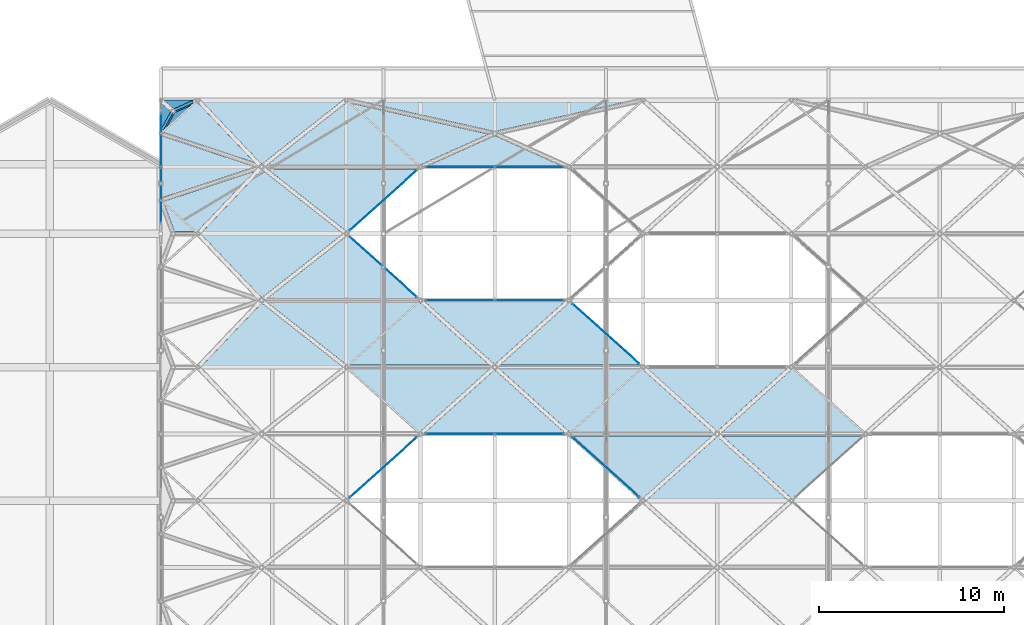
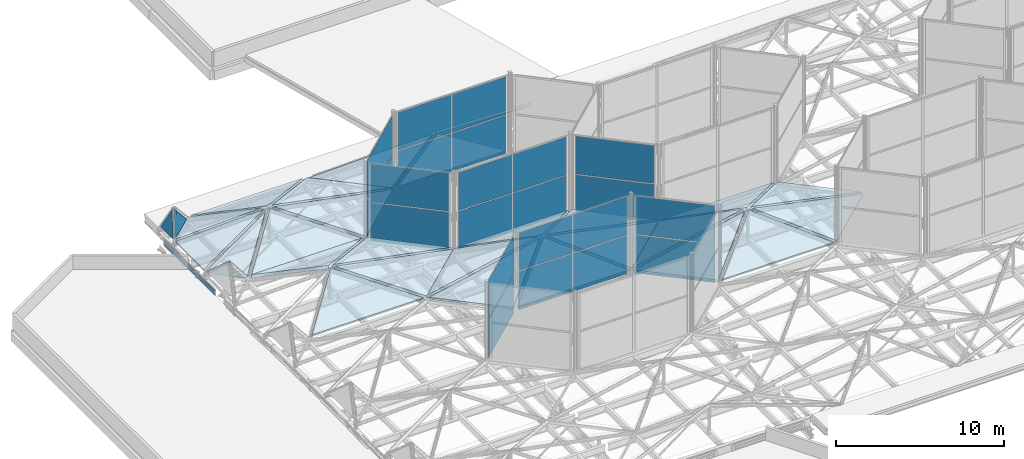
# One storey, part 213 of 239: 30 slabs, 26 plates, 9 elements without a shape of their own.
"""IFC4 building model written with IfcOpenShell, lengths in metres."""

from ifc_helpers import new_model, si_unit, direction, frame, origin, origin_2d, place, context, subcontext, project, spatial, polyline, rectangle, outline, extrude, material, layer, layer_set, type_object, element, aggregate, save


model = new_model("IFC4")

# Units and contexts
model_context = context("Model", 3, precision=1e-05, world=origin(), true_north=direction((0.0, 1.0)))
body_context = subcontext(model_context, "Body", "Model", "MODEL_VIEW")
ifc_project = project(units=[si_unit("LENGTHUNIT", "METRE"), si_unit("AREAUNIT", "SQUARE_METRE"), si_unit("VOLUMEUNIT", "CUBIC_METRE"), si_unit("PLANEANGLEUNIT", "RADIAN"), si_unit("MASSUNIT", "GRAM", prefix="KILO")], contexts=[model_context])

# Site, building, storey
site_placement = place(None, origin())
site = spatial("IfcSite", under=ifc_project, at=site_placement, CompositionType="ELEMENT")
building_placement = place(site_placement, origin())
building = spatial("IfcBuilding", under=site, at=building_placement, Name="Dunvalen Ferry Terminal", CompositionType="ELEMENT")
storey_placement = place(building_placement, frame((0.0, 0.0, 9.840087890625)))
storey = spatial("IfcBuildingStorey", under=building, at=storey_placement, Name="L02", CompositionType="ELEMENT", Elevation=9.840087890625)

# Curtain wall, plates
ifc_material_1 = material(Name="Anodised marine aluminium and solar-control glazing", Category="aluminium")
ifc_layer_1 = layer(ifc_material_1, 0.219970703125, Name="Anodised marine aluminium and solar-control glazing")
ifc_layer_set_1 = layer_set([ifc_layer_1], Name="Anodised marine aluminium and solar-control glazing")
curtain_wall_type_1 = type_object("IfcCurtainWallType", Name="ENV-CW-SYS-04", PredefinedType="NOTDEFINED", material=ifc_layer_set_1)
curtain_wall_1_placement = place(storey_placement, origin())
curtain_wall_1 = element("IfcCurtainWall", 1, at=curtain_wall_1_placement, inside=storey, type_object=curtain_wall_type_1, Name="L02 Curtain Wall CW-V1W-CLR-05", PredefinedType="NOTDEFINED")
ifc_material_2 = material(Name="Low-E solar-control laminated double glazing", Category="glass")
ifc_layer_2 = layer(ifc_material_2, 0.031982421875, Name="Low-E solar-control laminated double glazing")
ifc_layer_set_2 = layer_set([ifc_layer_2], Name="Low-E solar-control laminated double glazing")
plate_type_1 = type_object("IfcPlateType", Name="ENV-CW-PNL-2", PredefinedType="CURTAIN_PANEL", material=ifc_layer_set_2)
plate_1_placement = place(storey_placement, frame((12.0, 81.294921875, 0.2998046875), z_axis=(0.0, 0.0, 1.0), x_axis=(0.0, 1.0, 0.0)))
plate_1 = element("IfcPlate", 2, at=plate_1_placement, type_object=plate_type_1, Name="CW-04 panel 1.1", PredefinedType="CURTAIN_PANEL", context=body_context, shape_type="SweptSolid", body=[
    extrude(rectangle(XDim=2.949951171875, YDim=0.031982421875, at=origin_2d()), origin(), (0.0, 0.0, 1.0), 0.179931640625),
])
plate_2_placement = place(storey_placement, frame((12.0, 81.294921875, 0.5400390625), z_axis=(0.0, 0.0, 1.0), x_axis=(0.0, 1.0, 0.0)))
plate_2 = element("IfcPlate", 3, at=plate_2_placement, type_object=plate_type_1, Name="CW-04 panel 1.2", PredefinedType="CURTAIN_PANEL", context=body_context, shape_type="SweptSolid", body=[
    extrude(rectangle(XDim=2.949951171875, YDim=0.031982421875, at=origin_2d()), origin(), (0.0, 0.0, 1.0), 0.179931640625),
])
plate_3_placement = place(storey_placement, frame((12.0, 84.304931640625, 0.2998046875), z_axis=(0.0, 0.0, 1.0), x_axis=(0.0, 1.0, 0.0)))
plate_3 = element("IfcPlate", 4, at=plate_3_placement, type_object=plate_type_1, Name="CW-04 panel 2.1", PredefinedType="CURTAIN_PANEL", context=body_context, shape_type="SweptSolid", body=[
    extrude(rectangle(XDim=2.949951171875, YDim=0.031982421875, at=origin_2d()), origin(), (0.0, 0.0, 1.0), 0.179931640625),
])
plate_4_placement = place(storey_placement, frame((12.0, 84.304931640625, 0.5400390625), z_axis=(0.0, 0.0, 1.0), x_axis=(0.0, 1.0, 0.0)))
plate_4 = element("IfcPlate", 5, at=plate_4_placement, type_object=plate_type_1, Name="CW-04 panel 2.2", PredefinedType="CURTAIN_PANEL", context=body_context, shape_type="SweptSolid", body=[
    extrude(rectangle(XDim=2.949951171875, YDim=0.031982421875, at=origin_2d()), origin(), (0.0, 0.0, 1.0), 0.179931640625),
])
aggregate(curtain_wall_1, [plate_1, plate_2, plate_3, plate_4])

ifc_layer_3 = layer(ifc_material_1, 0.179931640625, Name="Anodised marine aluminium and solar-control glazing")
ifc_layer_set_3 = layer_set([ifc_layer_3], Name="Anodised marine aluminium and solar-control glazing")
curtain_wall_type_2 = type_object("IfcCurtainWallType", Name="ENV-CW-SYS-06", PredefinedType="NOTDEFINED", material=ifc_layer_set_3)
curtain_wall_2_placement = place(storey_placement, origin())
curtain_wall_2 = element("IfcCurtainWall", 6, at=curtain_wall_2_placement, inside=storey, type_object=curtain_wall_type_2, Name="L02 Curtain Wall CW-HEX-14-SK-4", PredefinedType="NOTDEFINED")
ifc_layer_4 = layer(ifc_material_2, 0.0400390625, Name="Low-E solar-control laminated double glazing")
ifc_layer_set_4 = layer_set([ifc_layer_4], Name="Low-E solar-control laminated double glazing")
plate_type_2 = type_object("IfcPlateType", Name="ENV-CW-PNL-4", PredefinedType="CURTAIN_PANEL", material=ifc_layer_set_4)
plate_5_placement = place(storey_placement, frame((36.0, 66.60009765625, 1.19970703125), z_axis=(0.0, 0.0, 1.0), x_axis=(-0.74330420875, 0.668953550894, 0.0)))
plate_5 = element("IfcPlate", 7, at=plate_5_placement, type_object=plate_type_2, Name="CW-06 panel 1.1", PredefinedType="CURTAIN_PANEL", context=body_context, shape_type="SweptSolid", body=[
    extrude(rectangle(XDim=4.821533203125, YDim=0.0400390625, at=origin_2d()), origin(), (0.0, 0.0, 1.0), 2.760009765625),
])
plate_6_placement = place(storey_placement, frame((36.0, 66.60009765625, 4.02001953125), z_axis=(0.0, 0.0, 1.0), x_axis=(-0.74330420875, 0.668953550894, 0.0)))
plate_6 = element("IfcPlate", 8, at=plate_6_placement, type_object=plate_type_2, Name="CW-06 panel 1.2", PredefinedType="CURTAIN_PANEL", context=body_context, shape_type="SweptSolid", body=[
    extrude(rectangle(XDim=4.821533203125, YDim=0.0400390625, at=origin_2d()), origin(), (0.0, 0.0, 1.0), 2.760009765625),
])
aggregate(curtain_wall_2, [plate_5, plate_6])

ifc_layer_5 = layer(ifc_material_1, 0.179931640625, Name="Anodised marine aluminium and solar-control glazing")
ifc_layer_set_5 = layer_set([ifc_layer_5], Name="Anodised marine aluminium and solar-control glazing")
curtain_wall_type_3 = type_object("IfcCurtainWallType", Name="ENV-CW-SYS-05", PredefinedType="NOTDEFINED", material=ifc_layer_set_5)
curtain_wall_3_placement = place(storey_placement, origin())
curtain_wall_3 = element("IfcCurtainWall", 9, at=curtain_wall_3_placement, inside=storey, type_object=curtain_wall_type_3, Name="L02 Curtain Wall CW-HEX-14-SK-5", PredefinedType="NOTDEFINED")
plate_7_placement = place(storey_placement, frame((31.875, 68.39990234375, 1.19970703125), z_axis=(0.0, 0.0, 1.0), x_axis=(-1.0, 0.0, 0.0)))
plate_7 = element("IfcPlate", 10, at=plate_7_placement, type_object=plate_type_2, Name="CW-05 panel 1.1", PredefinedType="CURTAIN_PANEL", context=body_context, shape_type="SweptSolid", body=[
    extrude(rectangle(XDim=3.68994140625, YDim=0.0400390625, at=origin_2d()), origin(), (0.0, 0.0, 1.0), 2.760009765625),
])
plate_8_placement = place(storey_placement, frame((31.875, 68.39990234375, 4.02001953125), z_axis=(0.0, 0.0, 1.0), x_axis=(-1.0, 0.0, 0.0)))
plate_8 = element("IfcPlate", 11, at=plate_8_placement, type_object=plate_type_2, Name="CW-05 panel 1.2", PredefinedType="CURTAIN_PANEL", context=body_context, shape_type="SweptSolid", body=[
    extrude(rectangle(XDim=3.68994140625, YDim=0.0400390625, at=origin_2d()), origin(), (0.0, 0.0, 1.0), 2.760009765625),
])
plate_9_placement = place(storey_placement, frame((28.125, 68.39990234375, 1.19970703125), z_axis=(0.0, 0.0, 1.0), x_axis=(-1.0, 0.0, 0.0)))
plate_9 = element("IfcPlate", 12, at=plate_9_placement, type_object=plate_type_2, Name="CW-05 panel 2.1", PredefinedType="CURTAIN_PANEL", context=body_context, shape_type="SweptSolid", body=[
    extrude(rectangle(XDim=3.68994140625, YDim=0.0400390625, at=origin_2d()), origin(), (0.0, 0.0, 1.0), 2.760009765625),
])
plate_10_placement = place(storey_placement, frame((28.125, 68.39990234375, 4.02001953125), z_axis=(0.0, 0.0, 1.0), x_axis=(-1.0, 0.0, 0.0)))
plate_10 = element("IfcPlate", 13, at=plate_10_placement, type_object=plate_type_2, Name="CW-05 panel 2.2", PredefinedType="CURTAIN_PANEL", context=body_context, shape_type="SweptSolid", body=[
    extrude(rectangle(XDim=3.68994140625, YDim=0.0400390625, at=origin_2d()), origin(), (0.0, 0.0, 1.0), 2.760009765625),
])
aggregate(curtain_wall_3, [plate_7, plate_8, plate_9, plate_10])

curtain_wall_4_placement = place(storey_placement, origin())
curtain_wall_4 = element("IfcCurtainWall", 14, at=curtain_wall_4_placement, inside=storey, type_object=curtain_wall_type_2, Name="L02 Curtain Wall CW-HEX-14-SK-6", PredefinedType="NOTDEFINED")
plate_11_placement = place(storey_placement, frame((24.0, 66.60009765625, 1.19970703125), z_axis=(0.0, 0.0, 1.0), x_axis=(-0.74330420875, -0.668953550894, 0.0)))
plate_11 = element("IfcPlate", 15, at=plate_11_placement, type_object=plate_type_2, Name="CW-06 panel 1.1", PredefinedType="CURTAIN_PANEL", context=body_context, shape_type="SweptSolid", body=[
    extrude(rectangle(XDim=4.821533203125, YDim=0.0400390625, at=origin_2d()), origin(), (0.0, 0.0, 1.0), 2.760009765625),
])
plate_12_placement = place(storey_placement, frame((24.0, 66.60009765625, 4.02001953125), z_axis=(0.0, 0.0, 1.0), x_axis=(-0.74330420875, -0.668953550894, 0.0)))
plate_12 = element("IfcPlate", 16, at=plate_12_placement, type_object=plate_type_2, Name="CW-06 panel 1.2", PredefinedType="CURTAIN_PANEL", context=body_context, shape_type="SweptSolid", body=[
    extrude(rectangle(XDim=4.821533203125, YDim=0.0400390625, at=origin_2d()), origin(), (0.0, 0.0, 1.0), 2.760009765625),
])
aggregate(curtain_wall_4, [plate_11, plate_12])

curtain_wall_5_placement = place(storey_placement, origin())
curtain_wall_5 = element("IfcCurtainWall", 17, at=curtain_wall_5_placement, inside=storey, type_object=curtain_wall_type_3, Name="L02 Curtain Wall CW-HEX-16-SK-1", PredefinedType="NOTDEFINED")
plate_13_placement = place(storey_placement, frame((24.0, 77.39990234375, 1.19970703125), z_axis=(0.0, 0.0, 1.0), x_axis=(0.74330420875, -0.668953550894, 0.0)))
plate_13 = element("IfcPlate", 18, at=plate_13_placement, type_object=plate_type_2, Name="CW-05 panel 1.1", PredefinedType="CURTAIN_PANEL", context=body_context, shape_type="SweptSolid", body=[
    extrude(rectangle(XDim=4.821533203125, YDim=0.0400390625, at=origin_2d()), origin(), (0.0, 0.0, 1.0), 2.760009765625),
])
plate_14_placement = place(storey_placement, frame((24.0, 77.39990234375, 4.02001953125), z_axis=(0.0, 0.0, 1.0), x_axis=(0.74330420875, -0.668953550894, 0.0)))
plate_14 = element("IfcPlate", 19, at=plate_14_placement, type_object=plate_type_2, Name="CW-05 panel 1.2", PredefinedType="CURTAIN_PANEL", context=body_context, shape_type="SweptSolid", body=[
    extrude(rectangle(XDim=4.821533203125, YDim=0.0400390625, at=origin_2d()), origin(), (0.0, 0.0, 1.0), 2.760009765625),
])
aggregate(curtain_wall_5, [plate_13, plate_14])

curtain_wall_6_placement = place(storey_placement, origin())
curtain_wall_6 = element("IfcCurtainWall", 20, at=curtain_wall_6_placement, inside=storey, type_object=curtain_wall_type_2, Name="L02 Curtain Wall CW-HEX-16-SK-2", PredefinedType="NOTDEFINED")
plate_15_placement = place(storey_placement, frame((28.125, 75.60009765625, 1.19970703125), z_axis=(0.0, 0.0, 1.0), x_axis=(1.0, 0.0, 0.0)))
plate_15 = element("IfcPlate", 21, at=plate_15_placement, type_object=plate_type_2, Name="CW-06 panel 1.1", PredefinedType="CURTAIN_PANEL", context=body_context, shape_type="SweptSolid", body=[
    extrude(rectangle(XDim=3.68994140625, YDim=0.0400390625, at=origin_2d()), origin(), (0.0, 0.0, 1.0), 2.760009765625),
])
plate_16_placement = place(storey_placement, frame((28.125, 75.60009765625, 4.02001953125), z_axis=(0.0, 0.0, 1.0), x_axis=(1.0, 0.0, 0.0)))
plate_16 = element("IfcPlate", 22, at=plate_16_placement, type_object=plate_type_2, Name="CW-06 panel 1.2", PredefinedType="CURTAIN_PANEL", context=body_context, shape_type="SweptSolid", body=[
    extrude(rectangle(XDim=3.68994140625, YDim=0.0400390625, at=origin_2d()), origin(), (0.0, 0.0, 1.0), 2.760009765625),
])
plate_17_placement = place(storey_placement, frame((31.875, 75.60009765625, 1.19970703125), z_axis=(0.0, 0.0, 1.0), x_axis=(1.0, 0.0, 0.0)))
plate_17 = element("IfcPlate", 23, at=plate_17_placement, type_object=plate_type_2, Name="CW-06 panel 2.1", PredefinedType="CURTAIN_PANEL", context=body_context, shape_type="SweptSolid", body=[
    extrude(rectangle(XDim=3.68994140625, YDim=0.0400390625, at=origin_2d()), origin(), (0.0, 0.0, 1.0), 2.760009765625),
])
plate_18_placement = place(storey_placement, frame((31.875, 75.60009765625, 4.02001953125), z_axis=(0.0, 0.0, 1.0), x_axis=(1.0, 0.0, 0.0)))
plate_18 = element("IfcPlate", 24, at=plate_18_placement, type_object=plate_type_2, Name="CW-06 panel 2.2", PredefinedType="CURTAIN_PANEL", context=body_context, shape_type="SweptSolid", body=[
    extrude(rectangle(XDim=3.68994140625, YDim=0.0400390625, at=origin_2d()), origin(), (0.0, 0.0, 1.0), 2.760009765625),
])
aggregate(curtain_wall_6, [plate_15, plate_16, plate_17, plate_18])

curtain_wall_7_placement = place(storey_placement, origin())
curtain_wall_7 = element("IfcCurtainWall", 25, at=curtain_wall_7_placement, inside=storey, type_object=curtain_wall_type_3, Name="L02 Curtain Wall CW-HEX-16-SK-5", PredefinedType="NOTDEFINED")
plate_19_placement = place(storey_placement, frame((31.875, 82.800048828125, 1.19970703125), z_axis=(0.0, 0.0, 1.0), x_axis=(-1.0, 0.0, 0.0)))
plate_19 = element("IfcPlate", 26, at=plate_19_placement, type_object=plate_type_2, Name="CW-05 panel 1.1", PredefinedType="CURTAIN_PANEL", context=body_context, shape_type="SweptSolid", body=[
    extrude(rectangle(XDim=3.68994140625, YDim=0.0400390625, at=origin_2d()), origin(), (0.0, 0.0, 1.0), 2.760009765625),
])
plate_20_placement = place(storey_placement, frame((31.875, 82.800048828125, 4.02001953125), z_axis=(0.0, 0.0, 1.0), x_axis=(-1.0, 0.0, 0.0)))
plate_20 = element("IfcPlate", 27, at=plate_20_placement, type_object=plate_type_2, Name="CW-05 panel 1.2", PredefinedType="CURTAIN_PANEL", context=body_context, shape_type="SweptSolid", body=[
    extrude(rectangle(XDim=3.68994140625, YDim=0.0400390625, at=origin_2d()), origin(), (0.0, 0.0, 1.0), 2.760009765625),
])
plate_21_placement = place(storey_placement, frame((28.125, 82.800048828125, 1.19970703125), z_axis=(0.0, 0.0, 1.0), x_axis=(-1.0, 0.0, 0.0)))
plate_21 = element("IfcPlate", 28, at=plate_21_placement, type_object=plate_type_2, Name="CW-05 panel 2.1", PredefinedType="CURTAIN_PANEL", context=body_context, shape_type="SweptSolid", body=[
    extrude(rectangle(XDim=3.68994140625, YDim=0.0400390625, at=origin_2d()), origin(), (0.0, 0.0, 1.0), 2.760009765625),
])
plate_22_placement = place(storey_placement, frame((28.125, 82.800048828125, 4.02001953125), z_axis=(0.0, 0.0, 1.0), x_axis=(-1.0, 0.0, 0.0)))
plate_22 = element("IfcPlate", 29, at=plate_22_placement, type_object=plate_type_2, Name="CW-05 panel 2.2", PredefinedType="CURTAIN_PANEL", context=body_context, shape_type="SweptSolid", body=[
    extrude(rectangle(XDim=3.68994140625, YDim=0.0400390625, at=origin_2d()), origin(), (0.0, 0.0, 1.0), 2.760009765625),
])
aggregate(curtain_wall_7, [plate_19, plate_20, plate_21, plate_22])

curtain_wall_8_placement = place(storey_placement, origin())
curtain_wall_8 = element("IfcCurtainWall", 30, at=curtain_wall_8_placement, inside=storey, type_object=curtain_wall_type_2, Name="L02 Curtain Wall CW-HEX-16-SK-6", PredefinedType="NOTDEFINED")
plate_23_placement = place(storey_placement, frame((24.0, 81.0, 1.19970703125), z_axis=(0.0, 0.0, 1.0), x_axis=(-0.74330420875, -0.668953550894, 0.0)))
plate_23 = element("IfcPlate", 31, at=plate_23_placement, type_object=plate_type_2, Name="CW-06 panel 1.1", PredefinedType="CURTAIN_PANEL", context=body_context, shape_type="SweptSolid", body=[
    extrude(rectangle(XDim=4.821533203125, YDim=0.0400390625, at=origin_2d()), origin(), (0.0, 0.0, 1.0), 2.760009765625),
])
plate_24_placement = place(storey_placement, frame((24.0, 81.0, 4.02001953125), z_axis=(0.0, 0.0, 1.0), x_axis=(-0.74330420875, -0.668953550894, 0.0)))
plate_24 = element("IfcPlate", 32, at=plate_24_placement, type_object=plate_type_2, Name="CW-06 panel 1.2", PredefinedType="CURTAIN_PANEL", context=body_context, shape_type="SweptSolid", body=[
    extrude(rectangle(XDim=4.821533203125, YDim=0.0400390625, at=origin_2d()), origin(), (0.0, 0.0, 1.0), 2.760009765625),
])
aggregate(curtain_wall_8, [plate_23, plate_24])

curtain_wall_9_placement = place(storey_placement, origin())
curtain_wall_9 = element("IfcCurtainWall", 33, at=curtain_wall_9_placement, inside=storey, type_object=curtain_wall_type_3, Name="L02 Curtain Wall CW-HEX-21-SK-1", PredefinedType="NOTDEFINED")
plate_25_placement = place(storey_placement, frame((36.0, 73.800048828125, 1.19970703125), z_axis=(0.0, 0.0, 1.0), x_axis=(0.74330420875, -0.668953550894, 0.0)))
plate_25 = element("IfcPlate", 34, at=plate_25_placement, type_object=plate_type_2, Name="CW-05 panel 1.1", PredefinedType="CURTAIN_PANEL", context=body_context, shape_type="SweptSolid", body=[
    extrude(rectangle(XDim=4.821533203125, YDim=0.0400390625, at=origin_2d()), origin(), (0.0, 0.0, 1.0), 2.760009765625),
])
plate_26_placement = place(storey_placement, frame((36.0, 73.800048828125, 4.02001953125), z_axis=(0.0, 0.0, 1.0), x_axis=(0.74330420875, -0.668953550894, 0.0)))
plate_26 = element("IfcPlate", 35, at=plate_26_placement, type_object=plate_type_2, Name="CW-05 panel 1.2", PredefinedType="CURTAIN_PANEL", context=body_context, shape_type="SweptSolid", body=[
    extrude(rectangle(XDim=4.821533203125, YDim=0.0400390625, at=origin_2d()), origin(), (0.0, 0.0, 1.0), 2.760009765625),
])
aggregate(curtain_wall_9, [plate_25, plate_26])

# Slabs
ifc_material_3 = material(Name="Precast concrete C40/50 - Atlantic Blue Marine Enamel", Category="concrete")
ifc_layer_6 = layer(ifc_material_3, 0.18994140625, Name="Precast concrete C40/50 - Atlantic Blue Marine Enamel")
ifc_layer_set_6 = layer_set([ifc_layer_6], Name="Precast concrete C40/50 - Atlantic Blue Marine Enamel")
slab_type_1 = type_object("IfcSlabType", Name="STR-ROOF-HEX-ATLANTIC", PredefinedType="ROOF", material=ifc_layer_set_6)
slab_1_placement = place(storey_placement, frame((34.117919921875, 68.2939453125, 1.406982421875), z_axis=(-0.200317033625, -0.222563368957, 0.954116676743), x_axis=(0.743277537566, -0.668983185252, 0.0)))
element("IfcSlab", 36, at=slab_1_placement, inside=storey, type_object=slab_type_1, Name="HEX-20 Sea-Roof Pyramid Facet 1", PredefinedType="ROOF", context=body_context, shape_type="SweptSolid", body=[
    extrude(outline(polyline([(0.0, 0.0), (5.116498647435961, 0.0), (5.65351847726143, 5.333122050650035), (0.0, 0.0)])), origin(), (0.0, 0.0, -1.0), 0.18994140625),
])
slab_2_placement = place(storey_placement, frame((38.157958984375, 64.800048828125, 1.406982421875), z_axis=(0.0, -0.422832911751, 0.906207663144), x_axis=(1.0, 0.0, 0.0)))
element("IfcSlab", 37, at=slab_2_placement, inside=storey, type_object=slab_type_1, Name="HEX-20 Sea-Roof Pyramid Facet 2", PredefinedType="ROOF", context=body_context, shape_type="SweptSolid", body=[
    extrude(outline(polyline([(0.0, 0.0), (7.68408203125, 0.0), (3.842041015625, 3.8148333881963206), (0.0, 0.0)])), origin(), (0.0, 0.0, -1.0), 0.18994140625),
])
slab_3_placement = place(storey_placement, frame((46.0791015625, 64.87109375, 1.406982421875), z_axis=(0.200317033625, -0.222563368957, 0.954116676743), x_axis=(0.743277537566, 0.668983185252, 0.0)))
element("IfcSlab", 38, at=slab_3_placement, inside=storey, type_object=slab_type_1, Name="HEX-20 Sea-Roof Pyramid Facet 3", PredefinedType="ROOF", context=body_context, shape_type="SweptSolid", body=[
    extrude(outline(polyline([(0.0, 0.0), (5.116498647435961, 0.0), (-0.5370198298254691, 5.333122050650035), (0.0, 0.0)])), origin(), (0.0, 0.0, -1.0), 0.18994140625),
])
slab_4_placement = place(storey_placement, frame((49.882080078125, 68.506103515625, 1.406982421875), z_axis=(0.200317033625, 0.222563368957, 0.954116676743), x_axis=(-0.743277537566, 0.668983185252, 0.0)))
element("IfcSlab", 39, at=slab_4_placement, inside=storey, type_object=slab_type_1, Name="HEX-20 Sea-Roof Pyramid Facet 4", PredefinedType="ROOF", context=body_context, shape_type="SweptSolid", body=[
    extrude(outline(polyline([(0.0, 0.0), (5.116498647435961, 0.0), (5.65351847726143, 5.333122050650035), (0.0, 0.0)])), origin(), (0.0, 0.0, -1.0), 0.18994140625),
])
slab_5_placement = place(storey_placement, frame((45.842041015625, 72.0, 1.406982421875), z_axis=(0.0, 0.422832911751, 0.906207663144), x_axis=(-1.0, 0.0, 0.0)))
element("IfcSlab", 40, at=slab_5_placement, inside=storey, type_object=slab_type_1, Name="HEX-20 Sea-Roof Pyramid Facet 5", PredefinedType="ROOF", context=body_context, shape_type="SweptSolid", body=[
    extrude(outline(polyline([(0.0, 0.0), (7.68408203125, 0.0), (3.842041015625, 3.8148333881963206), (0.0, 0.0)])), origin(), (0.0, 0.0, -1.0), 0.18994140625),
])
slab_6_placement = place(storey_placement, frame((37.9208984375, 71.928955078125, 1.406982421875), z_axis=(-0.200317033625, 0.222563368957, 0.954116676743), x_axis=(-0.743277537566, -0.668983185252, 0.0)))
element("IfcSlab", 41, at=slab_6_placement, inside=storey, type_object=slab_type_1, Name="HEX-20 Sea-Roof Pyramid Facet 6", PredefinedType="ROOF", context=body_context, shape_type="SweptSolid", body=[
    extrude(outline(polyline([(0.0, 0.0), (5.116498647435961, 0.0), (-0.5370198298254691, 5.333122050650035), (0.0, 0.0)])), origin(), (0.0, 0.0, -1.0), 0.18994140625),
])
ifc_material_4 = material(Name="Precast concrete C40/50 - Deep Navy Marine Enamel", Category="concrete")
ifc_layer_7 = layer(ifc_material_4, 0.2099609375, Name="Precast concrete C40/50 - Deep Navy Marine Enamel")
ifc_layer_set_7 = layer_set([ifc_layer_7], Name="Precast concrete C40/50 - Deep Navy Marine Enamel")
slab_type_2 = type_object("IfcSlabType", Name="STR-ROOF-HEX-NAVY", PredefinedType="ROOF", material=ifc_layer_set_7)
slab_7_placement = place(storey_placement, frame((13.882080078125, 79.305908203125, 1.427001953125), z_axis=(0.590858891675, 0.656478676698, 0.468957905541), x_axis=(-0.743278336005, 0.668982298141, 0.0)))
element("IfcSlab", 42, at=slab_7_placement, inside=storey, type_object=slab_type_2, Name="HEX-05 Sea-Roof Pyramid Facet 2", PredefinedType="ROOF", context=body_context, shape_type="SweptSolid", body=[
    extrude(outline(polyline([(0.0, 0.0), (2.3035222744793176, -1.1102230246251565e-16), (0.8488906386304923, 1.629224882080702), (0.0, 0.0)])), origin(), (0.0, 0.0, -1.0), 0.2099609375),
])
slab_8_placement = place(storey_placement, frame((14.14599609375, 72.0, 1.427001953125), z_axis=(0.0, -0.422780353904, 0.906232184571), x_axis=(1.0, 0.0, 0.0)))
element("IfcSlab", 43, at=slab_8_placement, inside=storey, type_object=slab_type_2, Name="HEX-10 Sea-Roof Pyramid Facet 3", PredefinedType="ROOF", context=body_context, shape_type="SweptSolid", body=[
    extrude(outline(polyline([(0.0, 0.0), (7.68310546875, 0.0), (3.29296875, 3.814730163920641), (0.0, 0.0)])), origin(), (0.0, 0.0, -1.0), 0.2099609375),
])
slab_9_placement = place(storey_placement, frame((22.080078125, 72.072021484375, 1.427001953125), z_axis=(0.188105839848, -0.209002015122, 0.959653245027), x_axis=(0.743287026378, 0.668972642504, 0.0)))
element("IfcSlab", 44, at=slab_9_placement, inside=storey, type_object=slab_type_2, Name="HEX-10 Sea-Roof Pyramid Facet 4", PredefinedType="ROOF", context=body_context, shape_type="SweptSolid", body=[
    extrude(outline(polyline([(0.0, 0.0), (5.115119487088382, 4.440892098500626e-16), (-0.9404195925568297, 5.679240761704702), (0.0, 0.0)])), origin(), (0.0, 0.0, -1.0), 0.2099609375),
])
slab_10_placement = place(storey_placement, frame((25.882080078125, 75.7060546875, 1.427001953125), z_axis=(0.188105839848, 0.209002015122, 0.959653245027), x_axis=(-0.743287026378, 0.668972642504, 0.0)))
element("IfcSlab", 45, at=slab_10_placement, inside=storey, type_object=slab_type_2, Name="HEX-10 Sea-Roof Pyramid Facet 5", PredefinedType="ROOF", context=body_context, shape_type="SweptSolid", body=[
    extrude(outline(polyline([(0.0, 0.0), (5.115119487088382, -4.440892098500626e-16), (6.055539079645212, 5.679240761704701), (0.0, 0.0)])), origin(), (0.0, 0.0, -1.0), 0.2099609375),
])
slab_11_placement = place(storey_placement, frame((21.8291015625, 79.199951171875, 1.427001953125), z_axis=(0.0, 0.422780353904, 0.906232184571), x_axis=(-1.0, 0.0, 0.0)))
element("IfcSlab", 46, at=slab_11_placement, inside=storey, type_object=slab_type_2, Name="HEX-10 Sea-Roof Pyramid Facet 6", PredefinedType="ROOF", context=body_context, shape_type="SweptSolid", body=[
    extrude(outline(polyline([(0.0, 0.0), (7.68310546875, 0.0), (4.39013671875, 3.814730163920641), (0.0, 0.0)])), origin(), (0.0, 0.0, -1.0), 0.2099609375),
])
slab_12_placement = place(storey_placement, frame((22.117919921875, 71.89404296875, 1.427001953125), z_axis=(-0.200317741298, -0.222548281592, 0.954120047416), x_axis=(0.743253811371, -0.669009545434, 0.0)))
element("IfcSlab", 47, at=slab_12_placement, inside=storey, type_object=slab_type_2, Name="HEX-15 Sea-Roof Pyramid Facet 1", PredefinedType="ROOF", context=body_context, shape_type="SweptSolid", body=[
    extrude(outline(polyline([(0.0, 0.0), (5.116661976626771, 4.440892098500626e-16), (5.653338011050778, 5.33331335219247), (0.0, 0.0)])), origin(), (0.0, 0.0, -1.0), 0.2099609375),
])
slab_13_placement = place(storey_placement, frame((26.157958984375, 68.39990234375, 1.427001953125), z_axis=(0.0, -0.422780353904, 0.906232184571), x_axis=(1.0, 0.0, 0.0)))
element("IfcSlab", 48, at=slab_13_placement, inside=storey, type_object=slab_type_2, Name="HEX-15 Sea-Roof Pyramid Facet 2", PredefinedType="ROOF", context=body_context, shape_type="SweptSolid", body=[
    extrude(outline(polyline([(0.0, 0.0), (7.68408203125, 0.0), (3.842041015625, 3.814730163920641), (0.0, 0.0)])), origin(), (0.0, 0.0, -1.0), 0.2099609375),
])
slab_14_placement = place(storey_placement, frame((34.0791015625, 68.470947265625, 1.427001953125), z_axis=(0.200317741298, -0.222548281592, 0.954120047416), x_axis=(0.743253811371, 0.669009545434, 0.0)))
element("IfcSlab", 49, at=slab_14_placement, inside=storey, type_object=slab_type_2, Name="HEX-15 Sea-Roof Pyramid Facet 3", PredefinedType="ROOF", context=body_context, shape_type="SweptSolid", body=[
    extrude(outline(polyline([(0.0, 0.0), (5.116661976626771, -4.440892098500626e-16), (-0.5366760344240071, 5.333313352192469), (0.0, 0.0)])), origin(), (0.0, 0.0, -1.0), 0.2099609375),
])
slab_15_placement = place(storey_placement, frame((37.882080078125, 72.10595703125, 1.427001953125), z_axis=(0.200317741298, 0.222548281592, 0.954120047416), x_axis=(-0.743253811371, 0.669009545434, 0.0)))
element("IfcSlab", 50, at=slab_15_placement, inside=storey, type_object=slab_type_2, Name="HEX-15 Sea-Roof Pyramid Facet 4", PredefinedType="ROOF", context=body_context, shape_type="SweptSolid", body=[
    extrude(outline(polyline([(0.0, 0.0), (5.116661976626771, 4.440892098500626e-16), (5.653338011050778, 5.33331335219247), (0.0, 0.0)])), origin(), (0.0, 0.0, -1.0), 0.2099609375),
])
slab_16_placement = place(storey_placement, frame((33.842041015625, 75.60009765625, 1.427001953125), z_axis=(0.0, 0.422780353904, 0.906232184571), x_axis=(-1.0, 0.0, 0.0)))
element("IfcSlab", 51, at=slab_16_placement, inside=storey, type_object=slab_type_2, Name="HEX-15 Sea-Roof Pyramid Facet 5", PredefinedType="ROOF", context=body_context, shape_type="SweptSolid", body=[
    extrude(outline(polyline([(0.0, 0.0), (7.68408203125, 0.0), (3.842041015625, 3.814730163920641), (0.0, 0.0)])), origin(), (0.0, 0.0, -1.0), 0.2099609375),
])
slab_17_placement = place(storey_placement, frame((25.9208984375, 75.529052734375, 1.427001953125), z_axis=(-0.200317741298, 0.222548281592, 0.954120047416), x_axis=(-0.743253811371, -0.669009545434, 0.0)))
element("IfcSlab", 52, at=slab_17_placement, inside=storey, type_object=slab_type_2, Name="HEX-15 Sea-Roof Pyramid Facet 6", PredefinedType="ROOF", context=body_context, shape_type="SweptSolid", body=[
    extrude(outline(polyline([(0.0, 0.0), (5.116661976626771, -4.440892098500626e-16), (-0.5366760344240071, 5.333313352192469), (0.0, 0.0)])), origin(), (0.0, 0.0, -1.0), 0.2099609375),
])
ifc_material_5 = material(Name="Precast concrete C40/50 - Pale Sea-Mist Marine Enamel", Category="concrete")
ifc_layer_8 = layer(ifc_material_5, 0.169921875, Name="Precast concrete C40/50 - Pale Sea-Mist Marine Enamel")
ifc_layer_set_8 = layer_set([ifc_layer_8], Name="Precast concrete C40/50 - Pale Sea-Mist Marine Enamel")
slab_type_3 = type_object("IfcSlabType", Name="STR-ROOF-HEX-SEAMIST", PredefinedType="ROOF", material=ifc_layer_set_8)
slab_18_placement = place(storey_placement, frame((12.0, 86.257080078125, 1.386962890625), z_axis=(-0.929487033132, 0.0, 0.368854788825), x_axis=(0.0, -1.0, 0.0)))
element("IfcSlab", 53, at=slab_18_placement, inside=storey, type_object=slab_type_3, Name="HEX-06 Sea-Roof Pyramid Facet 1", PredefinedType="ROOF", context=body_context, shape_type="SweptSolid", body=[
    extrude(outline(polyline([(0.0, 0.0), (1.43896484375, 0.0), (0.47900390625, 1.4449018977698007), (0.0, 0.0)])), origin(), (0.0, 0.0, -1.0), 0.169921875),
])
slab_19_placement = place(storey_placement, frame((12.242919921875, 84.818115234375, 1.386962890625), z_axis=(0.646691164987, -0.718155860557, 0.256987737208), x_axis=(0.74311357977, 0.669165306604, 0.0)))
element("IfcSlab", 54, at=slab_19_placement, inside=storey, type_object=slab_type_3, Name="HEX-06 Sea-Roof Pyramid Facet 2", PredefinedType="ROOF", context=body_context, shape_type="SweptSolid", body=[
    extrude(outline(polyline([(0.0, 0.0), (2.017219814452428, -5.551115123125783e-17), (0.9730145207983824, 1.3027877679605961), (0.0, 0.0)])), origin(), (0.0, 0.0, -1.0), 0.169921875),
])
slab_20_placement = place(storey_placement, frame((13.741943359375, 86.39990234375, 1.386962890625), z_axis=(0.0, 0.94176146831, 0.336281633168), x_axis=(-1.0, 0.0, 0.0)))
element("IfcSlab", 55, at=slab_20_placement, inside=storey, type_object=slab_type_3, Name="HEX-06 Sea-Roof Pyramid Facet 3", PredefinedType="ROOF", context=body_context, shape_type="SweptSolid", body=[
    extrude(outline(polyline([(0.0, 0.0), (1.583984375, 0.0), (1.055908203125, 1.412070921483801), (0.0, 0.0)])), origin(), (0.0, 0.0, -1.0), 0.169921875),
])
slab_21_placement = place(storey_placement, frame((12.0, 84.488037109375, 1.386962890625), z_axis=(-0.295652877219, 0.0, 0.955295439219), x_axis=(0.0, -1.0, 0.0)))
element("IfcSlab", 56, at=slab_21_placement, inside=storey, type_object=slab_type_3, Name="HEX-11 Sea-Roof Pyramid Facet 1", PredefinedType="ROOF", context=body_context, shape_type="SweptSolid", body=[
    extrude(outline(polyline([(0.0, 0.0), (3.3759765625, 0.0), (1.68798828125, 5.330331127498515), (0.0, 0.0)])), origin(), (0.0, 0.0, -1.0), 0.169921875),
])
slab_22_placement = place(storey_placement, frame((12.091064453125, 80.91796875, 1.386962890625), z_axis=(-0.214272720285, -0.238063154245, 0.947318919864), x_axis=(0.743269490538, -0.66899212584, 0.0)))
element("IfcSlab", 57, at=slab_22_placement, inside=storey, type_object=slab_type_3, Name="HEX-11 Sea-Roof Pyramid Facet 2", PredefinedType="ROOF", context=body_context, shape_type="SweptSolid", body=[
    extrude(outline(polyline([(0.0, 0.0), (2.461871511839899, 0.0), (2.590110843148823, 4.801376729288834), (0.0, 0.0)])), origin(), (0.0, 0.0, -1.0), 0.169921875),
])
slab_23_placement = place(storey_placement, frame((14.14599609375, 79.199951171875, 1.386962890625), z_axis=(0.0, -0.422832911751, 0.906207663144), x_axis=(1.0, 0.0, 0.0)))
element("IfcSlab", 58, at=slab_23_placement, inside=storey, type_object=slab_type_3, Name="HEX-11 Sea-Roof Pyramid Facet 3", PredefinedType="ROOF", context=body_context, shape_type="SweptSolid", body=[
    extrude(outline(polyline([(0.0, 0.0), (7.68310546875, 0.0), (3.29296875, 3.8148333881963206), (0.0, 0.0)])), origin(), (0.0, 0.0, -1.0), 0.169921875),
])
slab_24_placement = place(storey_placement, frame((22.080078125, 79.27197265625, 1.386962890625), z_axis=(0.188106426033, -0.208987755769, 0.959656235547), x_axis=(0.743263293857, 0.668999010466, 0.0)))
element("IfcSlab", 59, at=slab_24_placement, inside=storey, type_object=slab_type_3, Name="HEX-11 Sea-Roof Pyramid Facet 4", PredefinedType="ROOF", context=body_context, shape_type="SweptSolid", body=[
    extrude(outline(polyline([(0.0, 0.0), (5.115282813706228, -4.440892098500626e-16), (-0.9400629177404323, 5.67944691384375), (0.0, 0.0)])), origin(), (0.0, 0.0, -1.0), 0.169921875),
])
slab_25_placement = place(storey_placement, frame((25.882080078125, 82.906005859375, 1.386962890625), z_axis=(0.188105839848, 0.209002015122, 0.959653245027), x_axis=(-0.743287026378, 0.668972642504, 0.0)))
element("IfcSlab", 60, at=slab_25_placement, inside=storey, type_object=slab_type_3, Name="HEX-11 Sea-Roof Pyramid Facet 5", PredefinedType="ROOF", context=body_context, shape_type="SweptSolid", body=[
    extrude(outline(polyline([(0.0, 0.0), (5.115119487088382, -4.440892098500626e-16), (6.055539079645212, 5.679240761704701), (0.0, 0.0)])), origin(), (0.0, 0.0, -1.0), 0.169921875),
])
slab_26_placement = place(storey_placement, frame((21.8291015625, 86.39990234375, 1.386962890625), z_axis=(0.0, 0.422857435306, 0.906196220146), x_axis=(-1.0, 0.0, 0.0)))
element("IfcSlab", 61, at=slab_26_placement, inside=storey, type_object=slab_type_3, Name="HEX-11 Sea-Roof Pyramid Facet 6", PredefinedType="ROOF", context=body_context, shape_type="SweptSolid", body=[
    extrude(outline(polyline([(0.0, 0.0), (7.68310546875, 0.0), (4.39013671875, 3.8146121474878703), (0.0, 0.0)])), origin(), (0.0, 0.0, -1.0), 0.169921875),
])
slab_27_placement = place(storey_placement, frame((13.9208984375, 86.3291015625, 1.386962890625), z_axis=(-0.214282195465, 0.238038395585, 0.947322998208), x_axis=(-0.743220180998, -0.669046906097, 0.0)))
element("IfcSlab", 62, at=slab_27_placement, inside=storey, type_object=slab_type_3, Name="HEX-11 Sea-Roof Pyramid Facet 7", PredefinedType="ROOF", context=body_context, shape_type="SweptSolid", body=[
    extrude(outline(polyline([(0.0, 0.0), (2.4620348466828865, 2.220446049250313e-16), (-0.12774075072348445, 4.801557563065546), (0.0, 0.0)])), origin(), (0.0, 0.0, -1.0), 0.169921875),
])
slab_28_placement = place(storey_placement, frame((22.160888671875, 86.2548828125, 1.386962890625), z_axis=(-0.258241324368, -0.28692858337, 0.92248761858), x_axis=(0.74328693375, -0.668972745421, 0.0)))
element("IfcSlab", 63, at=slab_28_placement, inside=storey, type_object=slab_type_3, Name="HEX-17 Sea-Roof Pyramid Facet 1", PredefinedType="ROOF", context=body_context, shape_type="SweptSolid", body=[
    extrude(outline(polyline([(0.0, 0.0), (5.049427963424799, 0.0), (6.7090601149819244, 4.082432219674015), (0.0, 0.0)])), origin(), (0.0, 0.0, -1.0), 0.169921875),
])
slab_29_placement = place(storey_placement, frame((26.258056640625, 82.800048828125, 1.386962890625), z_axis=(0.0, -0.682420198219, 0.730960103605), x_axis=(1.0, 0.0, 0.0)))
element("IfcSlab", 64, at=slab_29_placement, inside=storey, type_object=slab_type_3, Name="HEX-17 Sea-Roof Pyramid Facet 2", PredefinedType="ROOF", context=body_context, shape_type="SweptSolid", body=[
    extrude(outline(polyline([(0.0, 0.0), (7.48388671875, 0.0), (3.741943359375, 2.3035975319575743), (0.0, 0.0)])), origin(), (0.0, 0.0, -1.0), 0.169921875),
])
slab_30_placement = place(storey_placement, frame((37.51708984375, 86.39990234375, 1.386962890625), z_axis=(0.0, 0.682472396449, 0.730911368146), x_axis=(-1.0, 0.0, 0.0)))
element("IfcSlab", 65, at=slab_30_placement, inside=storey, type_object=slab_type_3, Name="HEX-17 Sea-Roof Pyramid Facet 4", PredefinedType="ROOF", context=body_context, shape_type="SweptSolid", body=[
    extrude(outline(polyline([(0.0, 0.0), (15.0341796875, 0.0), (7.51708984375, 2.313437774320156), (0.0, 0.0)])), origin(), (0.0, 0.0, -1.0), 0.169921875),
])

save(model, "model.ifc")
